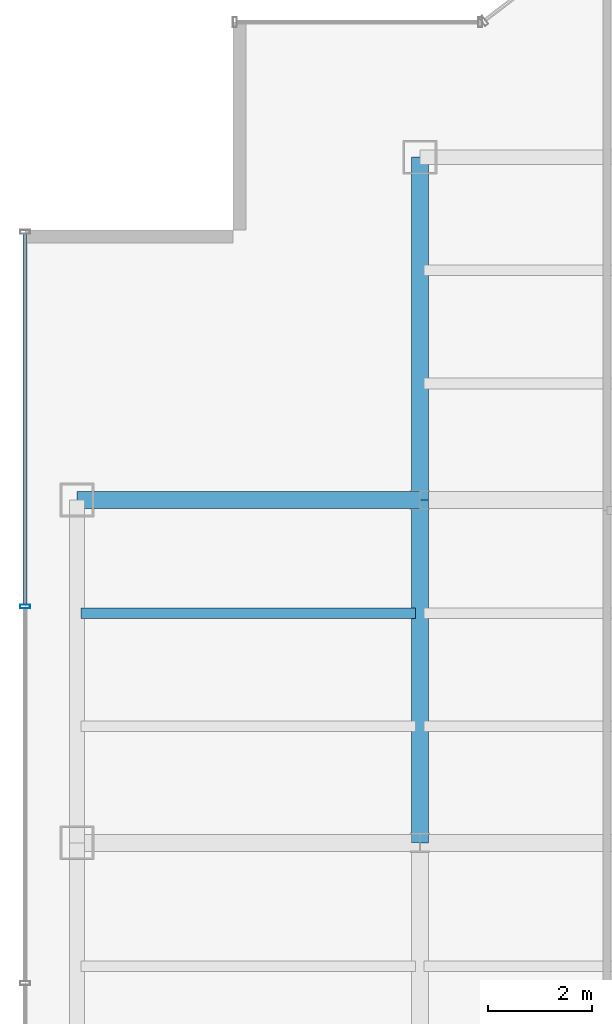
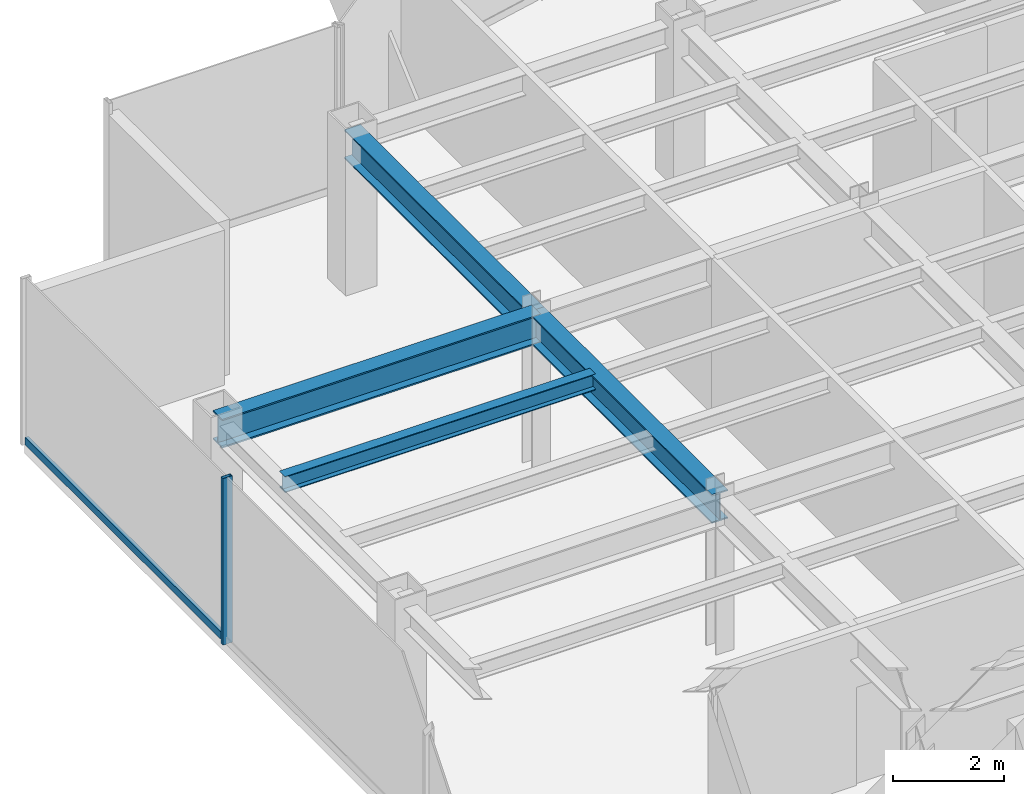
# One storey, part 7 of 25: 4 beams, 2 members, 1 element without a shape of its own.
"""IFC4 building model written with IfcOpenShell, lengths in metres."""

from ifc_helpers import new_model, si_unit, derived_unit, direction, frame, origin, origin_2d, place, context, subcontext, project, spatial, hollow_rectangle, i_section, extrude, source, transform, mapped, material, material_profile, profile_set, type_object, element, aggregate, save


model = new_model("IFC4")

# Units and contexts
model_context = context("Model", 3, precision=1e-05, world=origin(), true_north=direction((0.0, 1.0)))
body_context = subcontext(model_context, "Body", "Model", "MODEL_VIEW")
ifc_project = project(units=[si_unit("LENGTHUNIT", "METRE"), si_unit("AREAUNIT", "SQUARE_METRE"), si_unit("VOLUMEUNIT", "CUBIC_METRE"), si_unit("PLANEANGLEUNIT", "RADIAN"), si_unit("MASSUNIT", "GRAM", prefix="KILO"), derived_unit("THERMALTRANSMITTANCEUNIT", [(si_unit("POWERUNIT", "WATT"), 1), (si_unit("LENGTHUNIT", "METRE"), -2), (si_unit("THERMODYNAMICTEMPERATUREUNIT", "KELVIN"), -1)])], contexts=[model_context])

# Site, building, storey
site_placement = place(None, origin())
site = spatial("IfcSite", under=ifc_project, at=site_placement, CompositionType="ELEMENT")
building_placement = place(site_placement, origin())
building = spatial("IfcBuilding", under=site, at=building_placement, Name="Skarnbrae Concourse Arena and Tower", CompositionType="ELEMENT")
storey_placement = place(building_placement, frame((0.0, 0.0, 173.449951171875)))
storey = spatial("IfcBuildingStorey", under=building, at=storey_placement, Name="L44", CompositionType="ELEMENT", Elevation=173.449951171875)

# Beams
ifc_material_1 = material(Name="Steel CSA G40.21 350W", Category="steel")
ifc_material_profile_1 = material_profile(ifc_material_1, i_section(OverallWidth=0.3291015625, OverallDepth=0.635009765625, WebThickness=0.017822265625, FlangeThickness=0.031005859375, at=origin_2d()), Name="W610X241")
ifc_profile_set_1 = profile_set([ifc_material_profile_1], Name="Steel CSA G40.21 350W")
beam_type_1 = type_object("IfcBeamType", Name="BM-GIRD-W610X241", PredefinedType="BEAM", material=ifc_profile_set_1)
shared_shape_1 = source(origin(), body_context, "Body", "SweptSolid", [
    extrude(i_section(OverallWidth=0.3291015625, OverallDepth=0.635009765625, WebThickness=0.017822265625, FlangeThickness=0.031005859375, at=origin_2d()), origin(), (0.0, 0.0, 1.0), 6.60009765625),
])
for number, where, z_axis, x_axis, name in (
    (1, (1.0, 27.800048828125, 3.08251953125), (1.0, 0.0, 0.0), (0.0, 1.0, 0.0), "L44 Primary E-W girder Y27.8-1"),
    (2, (7.60009765625, 21.199951171875, 3.08251953125), (0.0, 1.0, 0.0), (-1.0, 0.0, 0.0), "L44 Primary N-S girder X7.6-2"),
):
    element("IfcBeam", number, at=place(storey_placement, frame(where, z_axis=z_axis, x_axis=x_axis)), inside=storey, type_object=beam_type_1, Name=name, PredefinedType="BEAM", context=body_context, shape_type="MappedRepresentation", body=[
        mapped(shared_shape_1, transform((0.0, 0.0, 0.0))),
    ])
shared_shape_2 = source(origin(), body_context, "Body", "SweptSolid", [
    extrude(i_section(OverallWidth=0.3291015625, OverallDepth=0.635009765625, WebThickness=0.017822265625, FlangeThickness=0.031005859375, at=origin_2d()), origin(), (0.0, 0.0, 1.0), 6.599853515625),
])
beam_1_placement = place(storey_placement, frame((7.60009765625, 27.800048828125, 3.08251953125), z_axis=(0.0, 1.0, 0.0), x_axis=(-1.0, 0.0, 0.0)))
element("IfcBeam", 3, at=beam_1_placement, inside=storey, type_object=beam_type_1, Name="L44 Primary N-S girder X7.6-3", PredefinedType="BEAM", context=body_context, shape_type="MappedRepresentation", body=[
    mapped(shared_shape_2, transform((0.0, 0.0, 0.0))),
])
ifc_material_profile_2 = material_profile(ifc_material_1, i_section(OverallWidth=0.205078125, OverallDepth=0.35400390625, WebThickness=0.009521484375, FlangeThickness=0.016845703125, at=origin_2d()), Name="W360X79")
ifc_profile_set_2 = profile_set([ifc_material_profile_2], Name="Steel CSA G40.21 350W")
beam_type_2 = type_object("IfcBeamType", Name="BM-JOIST-W360X79", PredefinedType="JOIST", material=ifc_profile_set_2)
shared_shape_3 = source(origin(), body_context, "Body", "SweptSolid", [
    extrude(i_section(OverallWidth=0.205078125, OverallDepth=0.35400390625, WebThickness=0.009521484375, FlangeThickness=0.016845703125, at=origin_2d()), origin(), (0.0, 0.0, 1.0), 6.43994140625),
])
beam_2_placement = place(storey_placement, frame((1.080078125, 25.6220703125, 3.22314453125), z_axis=(1.0, 0.0, 0.0), x_axis=(0.0, 1.0, 0.0)))
element("IfcBeam", 4, at=beam_2_placement, inside=storey, type_object=beam_type_2, Name="L44 Secondary floor joist 2.2.1", PredefinedType="JOIST", context=body_context, shape_type="MappedRepresentation", body=[
    mapped(shared_shape_3, transform((0.0, 0.0, 0.0))),
])

# Curtain wall, members
ifc_material_2 = material(Name="Bronze anodised aluminium 6063-T6", Category="aluminium")
curtain_wall_type = type_object("IfcCurtainWallType", Name="CW-SYS-04-MIDZONE", PredefinedType="USERDEFINED", material=ifc_material_2)
curtain_wall_placement = place(storey_placement, origin())
curtain_wall = element("IfcCurtainWall", 5, at=curtain_wall_placement, inside=storey, type_object=curtain_wall_type, Name="L44 Unitised curtain wall CW-L44-E18", ObjectType="UNITISED CURTAIN WALL", PredefinedType="USERDEFINED")
ifc_material_profile_3 = material_profile(ifc_material_2, hollow_rectangle(XDim=0.074951171875, YDim=0.195068359375, WallThickness=0.00439453125, at=origin_2d()), Name="ALU-MULL-75X195")
ifc_profile_set_3 = profile_set([ifc_material_profile_3], Name="Bronze anodised aluminium 6063-T6")
member_type_1 = type_object("IfcMemberType", Name="CWM-CW-04", PredefinedType="MULLION", material=ifc_profile_set_3)
shared_shape_4 = source(origin(), body_context, "Body", "SweptSolid", [
    extrude(hollow_rectangle(XDim=0.074951171875, YDim=0.195068359375, WallThickness=0.00439453125, at=origin_2d()), origin(), (0.0, 0.0, 1.0), 3.650146484375),
])
member_1_placement = place(storey_placement, frame((0.0, 25.75, 0.0), z_axis=(0.0, 0.0, 1.0), x_axis=(0.0, -1.0, 0.0)))
member_1 = element("IfcMember", 6, at=member_1_placement, type_object=member_type_1, Name="CW-L44-E18 Mullion 2", PredefinedType="MULLION", context=body_context, shape_type="MappedRepresentation", body=[
    mapped(shared_shape_4, transform((0.0, 0.0, 0.0))),
])
ifc_material_profile_4 = material_profile(ifc_material_2, hollow_rectangle(XDim=0.074951171875, YDim=0.159912109375, WallThickness=0.00439453125, at=origin_2d()), Name="ALU-TRAN-75X160")
ifc_profile_set_4 = profile_set([ifc_material_profile_4], Name="Bronze anodised aluminium 6063-T6")
member_type_2 = type_object("IfcMemberType", Name="CWT-CW-04", PredefinedType="USERDEFINED", material=ifc_profile_set_4)
shared_shape_5 = source(origin(), body_context, "Body", "SweptSolid", [
    extrude(hollow_rectangle(XDim=0.074951171875, YDim=0.159912109375, WallThickness=0.00439453125, at=origin_2d()), origin(), (0.0, 0.0, 1.0), 7.137451171875),
])
member_2_placement = place(storey_placement, frame((0.0, 32.925048828125, 0.080078125), z_axis=(0.0, -1.0, 0.0), x_axis=(1.0, 0.0, 0.0)))
member_2 = element("IfcMember", 7, at=member_2_placement, type_object=member_type_2, Name="CW-L44-E18 Transom 1", ObjectType="TRANSOM", PredefinedType="USERDEFINED", context=body_context, shape_type="MappedRepresentation", body=[
    mapped(shared_shape_5, transform((0.0, 0.0, 0.0))),
])
aggregate(curtain_wall, [member_1, member_2])

save(model, "model.ifc")
